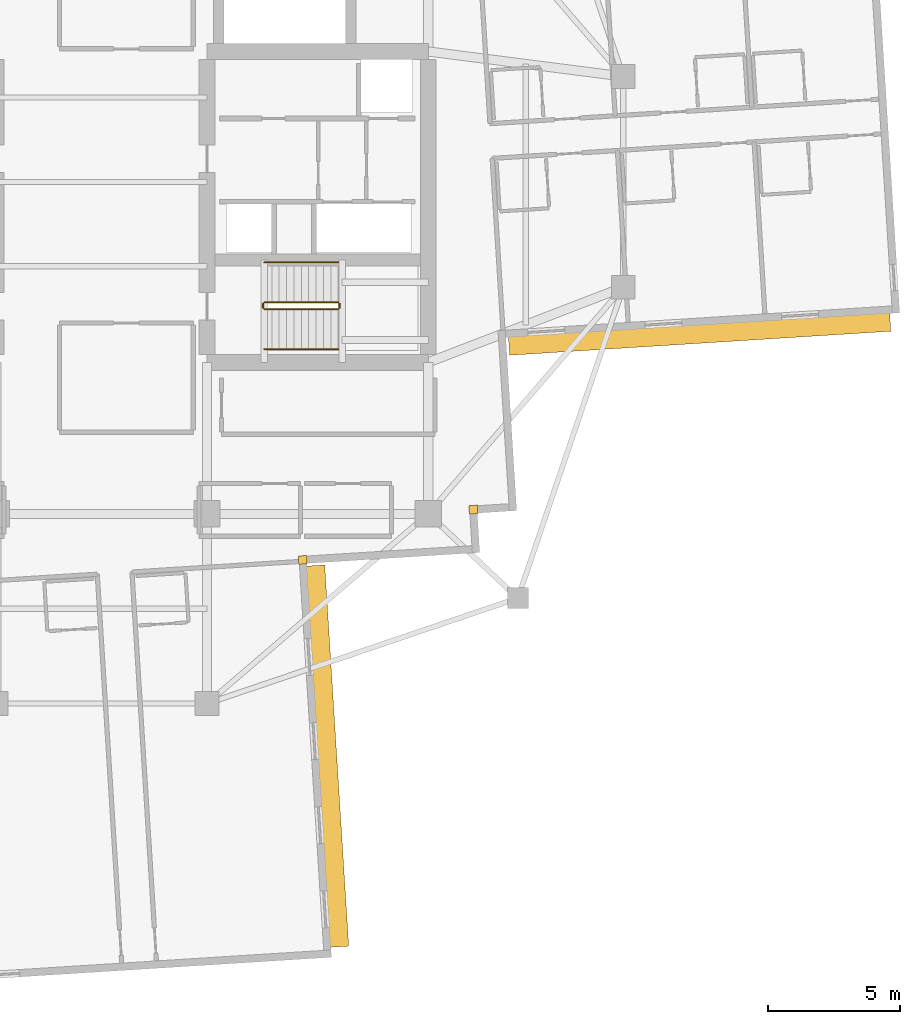
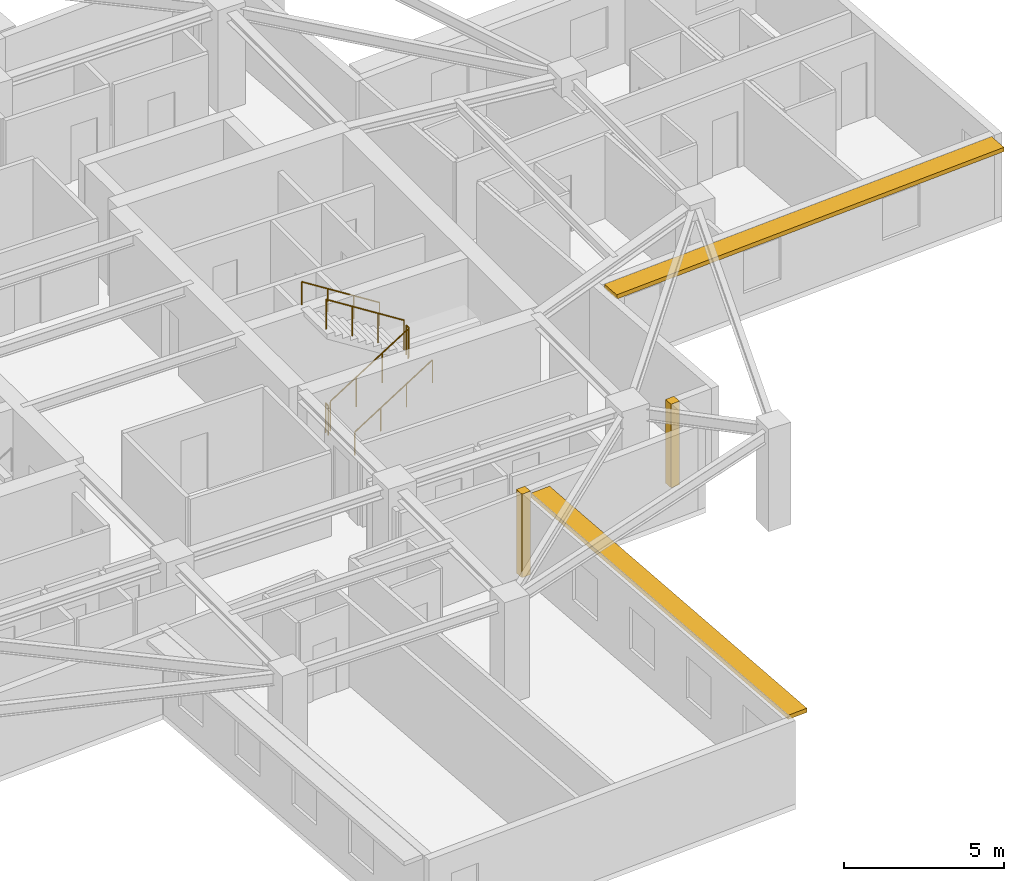
# One storey, part 11 of 13: 6 railings, 2 coverings, 2 shading devices.
"""IFC4 building model written with IfcOpenShell, lengths in metres."""

from ifc_helpers import new_model, si_unit, direction, frame, origin, origin_2d, place, context, subcontext, project, spatial, rectangle, circle, extrude, material, layer, layer_set, type_object, element, save


model = new_model("IFC4")

# Units and contexts
model_context = context("Model", 3, precision=1e-05, world=origin(), true_north=direction((0.0, 1.0)))
body_context = subcontext(model_context, "Body", "Model", "MODEL_VIEW")
ifc_project = project(units=[si_unit("LENGTHUNIT", "METRE"), si_unit("AREAUNIT", "SQUARE_METRE"), si_unit("VOLUMEUNIT", "CUBIC_METRE"), si_unit("PLANEANGLEUNIT", "RADIAN"), si_unit("MASSUNIT", "GRAM", prefix="KILO")], contexts=[model_context])

# Site, building, storey
site_placement = place(None, origin())
site = spatial("IfcSite", under=ifc_project, at=site_placement, CompositionType="ELEMENT")
building_placement = place(site_placement, origin())
building = spatial("IfcBuilding", under=site, at=building_placement, Name="Qingluan Cross Belvedere", CompositionType="ELEMENT")
storey_placement = place(building_placement, frame((0.0, 0.0, 201.300048828125)))
storey = spatial("IfcBuildingStorey", under=building, at=storey_placement, Name="L50", CompositionType="ELEMENT", Elevation=201.300048828125)

# Coverings
ifc_material_1 = material(Name="Precast concrete C45", Category="concrete")
ifc_layer_1 = layer(ifc_material_1, 0.1201171875, Name="ConcreteSpandrelCladding_120")
ifc_layer_set_1 = layer_set([ifc_layer_1], Name="Precast concrete C45")
covering_type = type_object("IfcCoveringType", Name="ConcreteSpandrelCladding_120", PredefinedType="CLADDING", material=ifc_layer_set_1)
for number, where, z_axis, x_axis, name in (
    (1, (14.10888671875, -12.438720703125, 0.0), (0.0, 0.0, 1.0), (0.998026728428, 0.062790519529, 0.0), "Corner closure L50-SE1"),
    (2, (7.635986328125, -14.348876953125, 0.0), (0.0, 0.0, 1.0), (0.998026728428, 0.062790519529, 0.0), "Corner closure L50-SE2"),
):
    element("IfcCovering", number, at=place(storey_placement, frame(where, z_axis=z_axis, x_axis=x_axis)), inside=storey, type_object=covering_type, Name=name, PredefinedType="CLADDING", context=body_context, shape_type="SweptSolid", body=[
        extrude(rectangle(XDim=0.320068359375, YDim=0.320068359375, at=origin_2d()), origin(), (0.0, 0.0, 1.0), 3.179931640625),
    ])

# Shading devices
ifc_material_2 = material(Name="Precast concrete C45", Category="concrete")
ifc_layer_2 = layer(ifc_material_2, 0.139892578125, Name="ConcreteSunshadeBand_700")
ifc_layer_set_2 = layer_set([ifc_layer_2], Name="Precast concrete C45")
shading_device_type = type_object("IfcShadingDeviceType", Name="ConcreteSunshadeBand_700", PredefinedType="USERDEFINED", material=ifc_layer_set_2)
for number, where, z_axis, x_axis, name in (
    (3, (22.697509765625, -5.776123046875, 3.0), (0.0, 0.0, 1.0), (0.998026818306, 0.062789090939, 0.0), "Concrete SUNSHADE L50-EA"),
    (4, (8.575439453125, -21.794677734375, 3.0), (0.0, 0.0, 1.0), (-0.062795866837, 0.99802639199, 0.0), "Concrete SUNSHADE L50-SB"),
):
    element("IfcShadingDevice", number, at=place(storey_placement, frame(where, z_axis=z_axis, x_axis=x_axis)), inside=storey, type_object=shading_device_type, Name=name, ObjectType="SUNSHADE", PredefinedType="USERDEFINED", context=body_context, shape_type="SweptSolid", body=[
        extrude(rectangle(XDim=14.5, YDim=0.699951171875, at=origin_2d()), origin(), (0.0, 0.0, 1.0), 0.159912109375),
    ])

# Railings
ifc_material_3 = material(Name="Brushed stainless steel tubular handrail", Category="steel")
railing_type_1 = type_object("IfcRailingType", Name="StairPitchHandrail_900", PredefinedType="HANDRAIL", material=ifc_material_3)
railing_1_placement = place(storey_placement, frame((6.179931640625, -6.35009765625, 0.17724609375)))
element("IfcRailing", 5, at=railing_1_placement, inside=storey, type_object=railing_type_1, Name="L50 ST2 stair handrail 1", PredefinedType="HANDRAIL", context=body_context, shape_type="SweptSolid", body=[
    extrude(circle(Radius=0.02392578125, at=origin_2d()), frame((0.0, 0.0, 0.8759765625), z_axis=(0.844908973607, 0.0, 0.534910110503), x_axis=(0.0, 1.0, 0.0)), (0.0, 0.0, 1.0), 3.31396484375),
    extrude(circle(Radius=0.02099609375, at=origin_2d()), origin(), (0.0, 0.0, 1.0), 0.851806640625),
    extrude(circle(Radius=0.02099609375, at=origin_2d()), frame((0.933349609375, 0.0, 0.5908203125)), (0.0, 0.0, 1.0), 0.851806640625),
    extrude(circle(Radius=0.02099609375, at=origin_2d()), frame((1.86669921875, 0.0, 1.181884765625)), (0.0, 0.0, 1.0), 0.851806640625),
    extrude(circle(Radius=0.02099609375, at=origin_2d()), frame((2.800048828125, 0.0, 1.772705078125)), (0.0, 0.0, 1.0), 0.851806640625),
])
railing_2_placement = place(storey_placement, frame((8.97998046875, -3.050048828125, 2.127197265625)))
element("IfcRailing", 6, at=railing_2_placement, inside=storey, type_object=railing_type_1, Name="L50 ST2 stair handrail 2", PredefinedType="HANDRAIL", context=body_context, shape_type="SweptSolid", body=[
    extrude(circle(Radius=0.02392578125, at=origin_2d()), frame((0.0, 0.0, 0.8759765625), z_axis=(-0.844908973607, 0.0, 0.534910110503), x_axis=(0.0, -1.0, 0.0)), (0.0, 0.0, 1.0), 3.31396484375),
    extrude(circle(Radius=0.02099609375, at=origin_2d()), origin(), (0.0, 0.0, 1.0), 0.851806640625),
    extrude(circle(Radius=0.02099609375, at=origin_2d()), frame((-0.933349609375, 0.0, 0.5908203125)), (0.0, 0.0, 1.0), 0.851806640625),
    extrude(circle(Radius=0.02099609375, at=origin_2d()), frame((-1.86669921875, 0.0, 1.181884765625)), (0.0, 0.0, 1.0), 0.851806640625),
    extrude(circle(Radius=0.02099609375, at=origin_2d()), frame((-2.800048828125, 0.0, 1.772705078125)), (0.0, 0.0, 1.0), 0.851806640625),
])
ifc_material_4 = material(Name="Painted steel stair well guard", Category="steel")
railing_type_2 = type_object("IfcRailingType", Name="StairWellGuard_1150", PredefinedType="BALUSTRADE", material=ifc_material_4)
railing_3_placement = place(storey_placement, frame((6.179931640625, -4.830078125, 0.17724609375)))
element("IfcRailing", 7, at=railing_3_placement, inside=storey, type_object=railing_type_2, Name="L50 ST2 stair guard 1", PredefinedType="BALUSTRADE", context=body_context, shape_type="SweptSolid", body=[
    extrude(circle(Radius=0.02392578125, at=origin_2d()), frame((0.0, 0.0, 1.1259765625), z_axis=(0.844908973607, 0.0, 0.534910110503), x_axis=(0.0, 1.0, 0.0)), (0.0, 0.0, 1.0), 3.31396484375),
    extrude(circle(Radius=0.02099609375, at=origin_2d()), origin(), (0.0, 0.0, 1.0), 1.101806640625),
    extrude(circle(Radius=0.02099609375, at=origin_2d()), frame((0.933349609375, 0.0, 0.5908203125)), (0.0, 0.0, 1.0), 1.101806640625),
    extrude(circle(Radius=0.02099609375, at=origin_2d()), frame((1.86669921875, 0.0, 1.181884765625)), (0.0, 0.0, 1.0), 1.101806640625),
    extrude(circle(Radius=0.02099609375, at=origin_2d()), frame((2.800048828125, 0.0, 1.772705078125)), (0.0, 0.0, 1.0), 1.101806640625),
])
railing_4_placement = place(storey_placement, frame((9.030029296875, -4.780029296875, 1.949951171875)))
element("IfcRailing", 8, at=railing_4_placement, inside=storey, type_object=railing_type_2, Name="L50 ST2 stair guard 2", PredefinedType="BALUSTRADE", context=body_context, shape_type="SweptSolid", body=[
    extrude(circle(Radius=0.02392578125, at=origin_2d()), frame((0.0, 0.0, 1.1259765625), z_axis=(0.0, 1.0, 0.0), x_axis=(-1.0, 0.0, 0.0)), (0.0, 0.0, 1.0), 0.159912109375),
    extrude(circle(Radius=0.02099609375, at=origin_2d()), origin(), (0.0, 0.0, 1.0), 1.101806640625),
    extrude(circle(Radius=0.02099609375, at=origin_2d()), frame((0.0, 0.159912109375, 0.0)), (0.0, 0.0, 1.0), 1.101806640625),
])
railing_5_placement = place(storey_placement, frame((8.97998046875, -4.570068359375, 2.127197265625)))
element("IfcRailing", 9, at=railing_5_placement, inside=storey, type_object=railing_type_2, Name="L50 ST2 stair guard 3", PredefinedType="BALUSTRADE", context=body_context, shape_type="SweptSolid", body=[
    extrude(circle(Radius=0.02392578125, at=origin_2d()), frame((0.0, 0.0, 1.1259765625), z_axis=(-0.844908973607, 0.0, 0.534910110503), x_axis=(0.0, -1.0, 0.0)), (0.0, 0.0, 1.0), 3.31396484375),
    extrude(circle(Radius=0.02099609375, at=origin_2d()), origin(), (0.0, 0.0, 1.0), 1.101806640625),
    extrude(circle(Radius=0.02099609375, at=origin_2d()), frame((-0.933349609375, 0.0, 0.5908203125)), (0.0, 0.0, 1.0), 1.101806640625),
    extrude(circle(Radius=0.02099609375, at=origin_2d()), frame((-1.86669921875, 0.0, 1.181884765625)), (0.0, 0.0, 1.0), 1.101806640625),
    extrude(circle(Radius=0.02099609375, at=origin_2d()), frame((-2.800048828125, 0.0, 1.772705078125)), (0.0, 0.0, 1.0), 1.101806640625),
])
railing_6_placement = place(storey_placement, frame((6.1298828125, -4.780029296875, 0.0)))
element("IfcRailing", 10, at=railing_6_placement, inside=storey, type_object=railing_type_2, Name="L50 ST2 stair guard 4", PredefinedType="BALUSTRADE", context=body_context, shape_type="SweptSolid", body=[
    extrude(circle(Radius=0.02392578125, at=origin_2d()), frame((0.0, 0.0, 1.1259765625), z_axis=(0.0, 1.0, 0.0), x_axis=(-1.0, 0.0, 0.0)), (0.0, 0.0, 1.0), 0.159912109375),
    extrude(circle(Radius=0.02099609375, at=origin_2d()), origin(), (0.0, 0.0, 1.0), 1.101806640625),
    extrude(circle(Radius=0.02099609375, at=origin_2d()), frame((0.0, 0.159912109375, 0.0)), (0.0, 0.0, 1.0), 1.101806640625),
])

save(model, "model.ifc")
